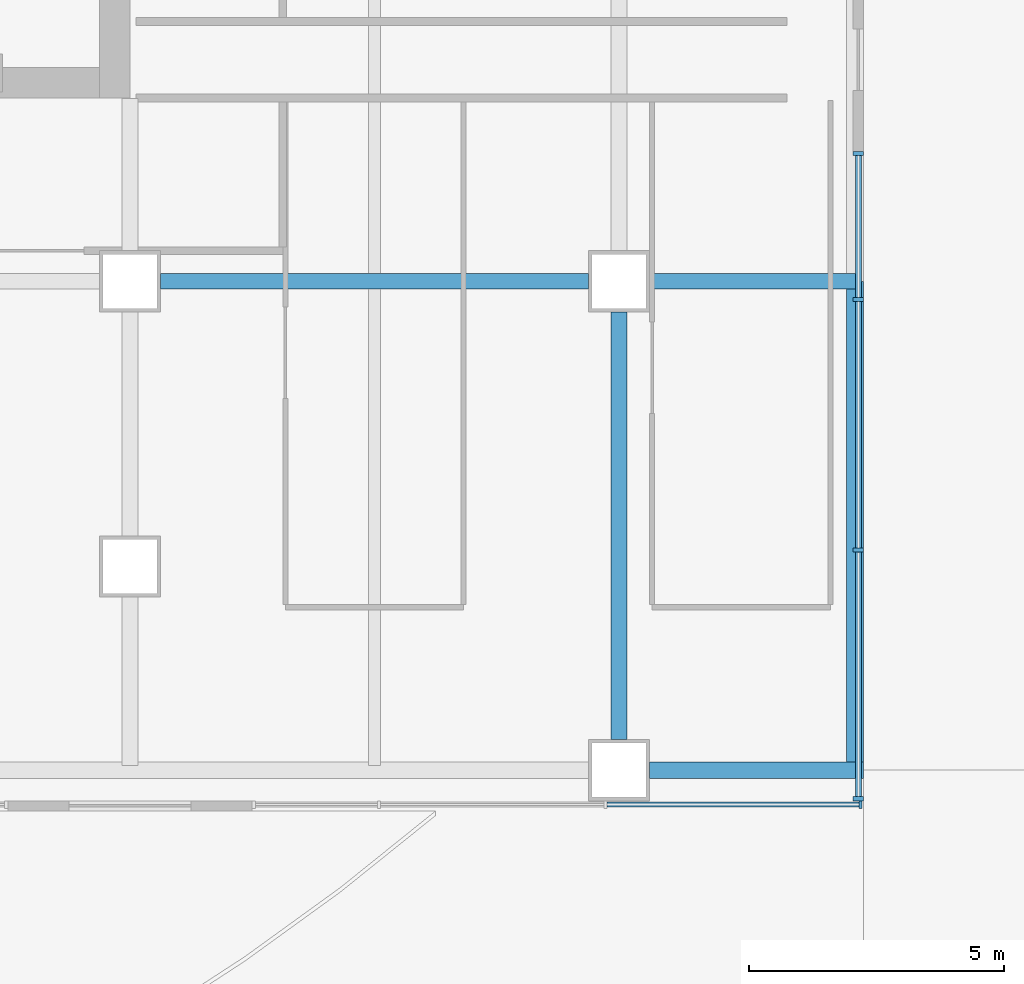
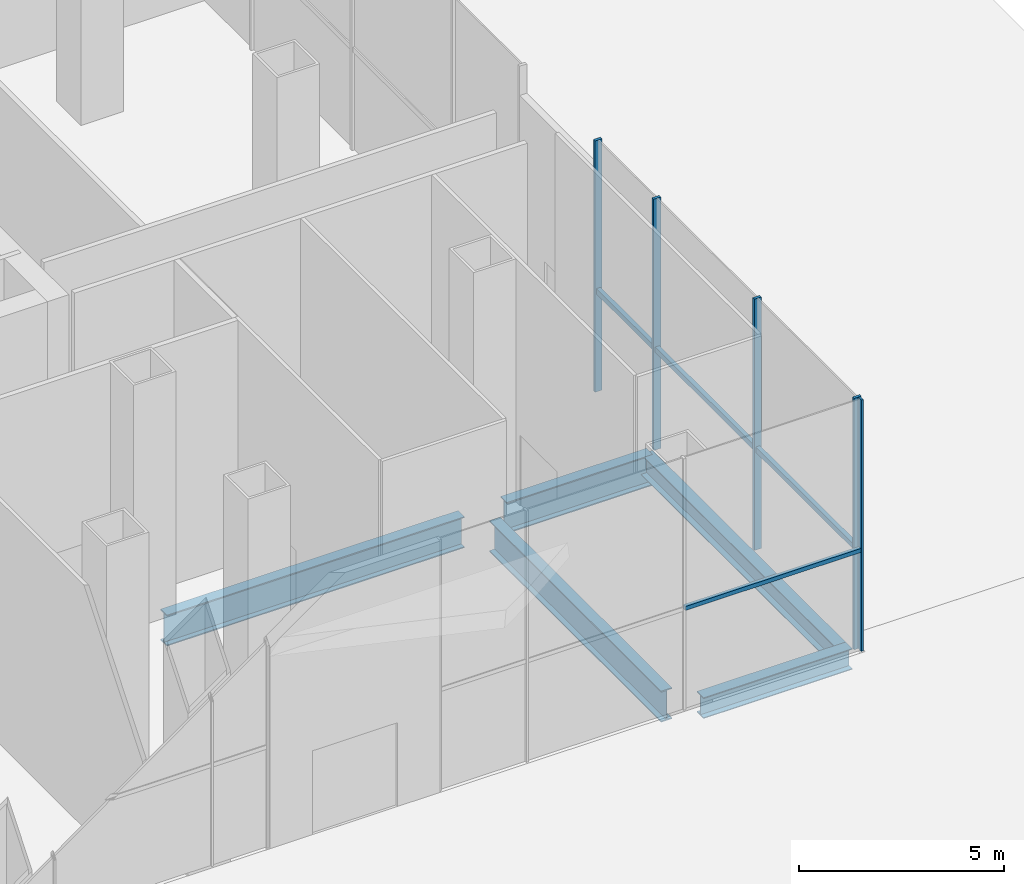
# One storey, part 12 of 36: 9 members, 5 beams, 2 elements without a shape of their own.
"""IFC4 building model written with IfcOpenShell, lengths in metres."""

from ifc_helpers import new_model, si_unit, direction, frame, origin, origin_2d, place, context, subcontext, project, spatial, rectangle, i_section, extrude, material, material_profile, profile_set, type_object, element, aggregate, save


model = new_model("IFC4")

# Units and contexts
model_context = context("Model", 3, precision=1e-05, world=origin(), true_north=direction((0.0, 1.0)))
body_context = subcontext(model_context, "Body", "Model", "MODEL_VIEW")
ifc_project = project(units=[si_unit("LENGTHUNIT", "METRE"), si_unit("AREAUNIT", "SQUARE_METRE"), si_unit("VOLUMEUNIT", "CUBIC_METRE"), si_unit("PLANEANGLEUNIT", "RADIAN"), si_unit("MASSUNIT", "GRAM", prefix="KILO")], contexts=[model_context])

# Site, building, storey
site_placement = place(None, origin())
site = spatial("IfcSite", under=ifc_project, at=site_placement, CompositionType="ELEMENT")
building_placement = place(site_placement, origin())
building = spatial("IfcBuilding", under=site, at=building_placement, Name="Cobrizo Arcos Hotel Tower", CompositionType="ELEMENT")
storey_placement = place(building_placement, origin())
storey = spatial("IfcBuildingStorey", under=building, at=storey_placement, Name="L00", CompositionType="ELEMENT", Elevation=0.0)

# Curtain wall, members
ifc_material_1 = material(Name="Aluminium 6063-T6 anodised bronze", Category="aluminium")
curtain_wall_type_1 = type_object("IfcCurtainWallType", Name="CW-A guest facade", PredefinedType="NOTDEFINED", material=ifc_material_1)
curtain_wall_1_placement = place(storey_placement, origin())
curtain_wall_1 = element("IfcCurtainWall", 1, at=curtain_wall_1_placement, inside=storey, type_object=curtain_wall_type_1, Name="CW-A L00 S face", PredefinedType="NOTDEFINED")
ifc_material_profile_1 = material_profile(ifc_material_1, rectangle(XDim=0.14990234375, YDim=0.06005859375, at=origin_2d()), Name="CW-A mullion 150x60")
ifc_profile_set_1 = profile_set([ifc_material_profile_1], Name="Aluminium 6063-T6 anodised bronze")
member_type_1 = type_object("IfcMemberType", Name="CW-A mullion 150x60", PredefinedType="MULLION", material=ifc_profile_set_1)
member_1_placement = place(storey_placement, frame((38.344970703125, -24.675048828125, 0.0), z_axis=(0.0, 0.0, 1.0), x_axis=(0.0, -1.0, 0.0)))
member_1 = element("IfcMember", 2, at=member_1_placement, type_object=member_type_1, Name="CW-A mullion 4", PredefinedType="MULLION", context=body_context, shape_type="SweptSolid", body=[
    extrude(rectangle(XDim=0.14990234375, YDim=0.06005859375, at=origin_2d()), origin(), (0.0, 0.0, 1.0), 7.5),
])
ifc_material_profile_2 = material_profile(ifc_material_1, rectangle(XDim=0.10009765625, YDim=0.1201171875, at=origin_2d()), Name="CW-A transom 120x100")
ifc_profile_set_2 = profile_set([ifc_material_profile_2], Name="Aluminium 6063-T6 anodised bronze")
member_type_2 = type_object("IfcMemberType", Name="CW-A transom 120x100", PredefinedType="USERDEFINED", material=ifc_profile_set_2)
member_2_placement = place(storey_placement, frame((33.36328125, -24.675048828125, 3.0), z_axis=(1.0, 0.0, 0.0), x_axis=(0.0, 1.0, 0.0)))
member_2 = element("IfcMember", 3, at=member_2_placement, type_object=member_type_2, Name="CW-A transom 52", ObjectType="TRANSOM", PredefinedType="USERDEFINED", context=body_context, shape_type="SweptSolid", body=[
    extrude(rectangle(XDim=0.10009765625, YDim=0.1201171875, at=origin_2d()), origin(), (0.0, 0.0, 1.0), 4.95166015625),
])
aggregate(curtain_wall_1, [member_1, member_2])

curtain_wall_type_2 = type_object("IfcCurtainWallType", Name="CW-B podium glazing", PredefinedType="NOTDEFINED", material=ifc_material_1)
curtain_wall_2_placement = place(storey_placement, origin())
curtain_wall_2 = element("IfcCurtainWall", 4, at=curtain_wall_2_placement, inside=storey, type_object=curtain_wall_type_2, Name="CW-B L00 E face", PredefinedType="NOTDEFINED")
ifc_material_profile_3 = material_profile(ifc_material_1, rectangle(XDim=0.199951171875, YDim=0.080078125, at=origin_2d()), Name="CW-B mullion 200x80")
ifc_profile_set_3 = profile_set([ifc_material_profile_3], Name="Aluminium 6063-T6 anodised bronze")
member_type_3 = type_object("IfcMemberType", Name="CW-B mullion 200x80", PredefinedType="MULLION", material=ifc_profile_set_3)
member_3_placement = place(storey_placement, frame((38.300048828125, -24.56005859375, 0.0), z_axis=(0.0, 0.0, 1.0), x_axis=(1.0, 0.0, 0.0)))
member_3 = element("IfcMember", 5, at=member_3_placement, type_object=member_type_3, Name="CW-B mullion 1", PredefinedType="MULLION", context=body_context, shape_type="SweptSolid", body=[
    extrude(rectangle(XDim=0.199951171875, YDim=0.080078125, at=origin_2d()), origin(), (0.0, 0.0, 1.0), 7.5),
])
member_4_placement = place(storey_placement, frame((38.300048828125, -19.679931640625, 0.0), z_axis=(0.0, 0.0, 1.0), x_axis=(1.0, 0.0, 0.0)))
member_4 = element("IfcMember", 6, at=member_4_placement, type_object=member_type_3, Name="CW-B mullion 2", PredefinedType="MULLION", context=body_context, shape_type="SweptSolid", body=[
    extrude(rectangle(XDim=0.199951171875, YDim=0.080078125, at=origin_2d()), origin(), (0.0, 0.0, 1.0), 7.5),
])
member_5_placement = place(storey_placement, frame((38.300048828125, -14.760009765625, 0.0), z_axis=(0.0, 0.0, 1.0), x_axis=(1.0, 0.0, 0.0)))
member_5 = element("IfcMember", 7, at=member_5_placement, type_object=member_type_3, Name="CW-B mullion 3", PredefinedType="MULLION", context=body_context, shape_type="SweptSolid", body=[
    extrude(rectangle(XDim=0.199951171875, YDim=0.080078125, at=origin_2d()), origin(), (0.0, 0.0, 1.0), 7.5),
])
member_6_placement = place(storey_placement, frame((38.300048828125, -11.889892578125, 0.0), z_axis=(0.0, 0.0, 1.0), x_axis=(1.0, 0.0, 0.0)))
member_6 = element("IfcMember", 8, at=member_6_placement, type_object=member_type_3, Name="CW-B mullion 4", PredefinedType="MULLION", context=body_context, shape_type="SweptSolid", body=[
    extrude(rectangle(XDim=0.199951171875, YDim=0.080078125, at=origin_2d()), origin(), (0.0, 0.0, 1.0), 7.5),
])
ifc_material_profile_4 = material_profile(ifc_material_1, rectangle(XDim=0.1201171875, YDim=0.159912109375, at=origin_2d()), Name="CW-B transom 160x120")
ifc_profile_set_4 = profile_set([ifc_material_profile_4], Name="Aluminium 6063-T6 anodised bronze")
member_type_4 = type_object("IfcMemberType", Name="CW-B transom 160x120", PredefinedType="USERDEFINED", material=ifc_profile_set_4)
member_7_placement = place(storey_placement, frame((38.300048828125, -24.52001953125, 3.0), z_axis=(0.0, 1.0, 0.0), x_axis=(-1.0, 0.0, 0.0)))
member_7 = element("IfcMember", 9, at=member_7_placement, type_object=member_type_4, Name="CW-B transom 1", ObjectType="TRANSOM", PredefinedType="USERDEFINED", context=body_context, shape_type="SweptSolid", body=[
    extrude(rectangle(XDim=0.1201171875, YDim=0.159912109375, at=origin_2d()), origin(), (0.0, 0.0, 1.0), 4.800048828125),
])
member_8_placement = place(storey_placement, frame((38.300048828125, -19.639892578125, 3.0), z_axis=(0.0, 1.0, 0.0), x_axis=(-1.0, 0.0, 0.0)))
member_8 = element("IfcMember", 10, at=member_8_placement, type_object=member_type_4, Name="CW-B transom 2", ObjectType="TRANSOM", PredefinedType="USERDEFINED", context=body_context, shape_type="SweptSolid", body=[
    extrude(rectangle(XDim=0.1201171875, YDim=0.159912109375, at=origin_2d()), origin(), (0.0, 0.0, 1.0), 4.83984375),
])
member_9_placement = place(storey_placement, frame((38.300048828125, -14.719970703125, 3.0), z_axis=(0.0, 1.0, 0.0), x_axis=(-1.0, 0.0, 0.0)))
member_9 = element("IfcMember", 11, at=member_9_placement, type_object=member_type_4, Name="CW-B transom 3", ObjectType="TRANSOM", PredefinedType="USERDEFINED", context=body_context, shape_type="SweptSolid", body=[
    extrude(rectangle(XDim=0.1201171875, YDim=0.159912109375, at=origin_2d()), origin(), (0.0, 0.0, 1.0), 2.7900390625),
])
aggregate(curtain_wall_2, [member_3, member_4, member_5, member_6, member_7, member_8, member_9])

# Beams
ifc_material_2 = material(Name="Steel ASTM A992 Grade 50", Category="steel")
ifc_material_profile_5 = material_profile(ifc_material_2, i_section(OverallWidth=0.32763671875, OverallDepth=0.622314453125, WebThickness=0.015380859375, FlangeThickness=0.0244140625, at=origin_2d()), Name="W24X131")
ifc_profile_set_5 = profile_set([ifc_material_profile_5], Name="Steel ASTM A992 Grade 50")
beam_type_1 = type_object("IfcBeamType", Name="W24X131 edge beam", PredefinedType="BEAM", material=ifc_profile_set_5)
beam_1_placement = place(storey_placement, frame((38.236083984375, -24.0, -0.611083984375), z_axis=(0.0, 1.0, 0.0), x_axis=(-1.0, 0.0, 0.0)))
element("IfcBeam", 12, at=beam_1_placement, inside=storey, type_object=beam_type_1, Name="Edge beam EB1, L00, no. 001", PredefinedType="BEAM", context=body_context, shape_type="SweptSolid", body=[
    extrude(i_section(OverallWidth=0.32763671875, OverallDepth=0.622314453125, WebThickness=0.015380859375, FlangeThickness=0.0244140625, at=origin_2d()), origin(), (0.0, 0.0, 1.0), 9.60009765625),
])
beam_2_placement = place(storey_placement, frame((34.199951171875, -24.0, -0.611083984375), z_axis=(1.0, 0.0, 0.0), x_axis=(0.0, 1.0, 0.0)))
element("IfcBeam", 13, at=beam_2_placement, inside=storey, type_object=beam_type_1, Name="Edge beam EB1, L00, no. 014", PredefinedType="BEAM", context=body_context, shape_type="SweptSolid", body=[
    extrude(i_section(OverallWidth=0.32763671875, OverallDepth=0.622314453125, WebThickness=0.015380859375, FlangeThickness=0.0244140625, at=origin_2d()), origin(), (0.0, 0.0, 1.0), 4.199951171875),
])
ifc_material_profile_6 = material_profile(ifc_material_2, i_section(OverallWidth=0.307373046875, OverallDepth=0.927001953125, WebThickness=0.01953125, FlangeThickness=0.031982421875, at=origin_2d()), Name="W36X194")
ifc_profile_set_6 = profile_set([ifc_material_profile_6], Name="Steel ASTM A992 Grade 50")
beam_type_2 = type_object("IfcBeamType", Name="W36X194 podium girder", PredefinedType="BEAM", material=ifc_profile_set_6)
beam_3_placement = place(storey_placement, frame((24.60009765625, -14.39990234375, -0.763427734375), z_axis=(1.0, 0.0, 0.0), x_axis=(0.0, 1.0, 0.0)))
element("IfcBeam", 14, at=beam_3_placement, inside=storey, type_object=beam_type_2, Name="Podium girder PG1, L00, no. 008", PredefinedType="BEAM", context=body_context, shape_type="SweptSolid", body=[
    extrude(i_section(OverallWidth=0.307373046875, OverallDepth=0.927001953125, WebThickness=0.01953125, FlangeThickness=0.031982421875, at=origin_2d()), origin(), (0.0, 0.0, 1.0), 8.39990234375),
])
beam_4_placement = place(storey_placement, frame((34.199951171875, -14.39990234375, -0.763427734375), z_axis=(1.0, 0.0, 0.0), x_axis=(0.0, 1.0, 0.0)))
element("IfcBeam", 15, at=beam_4_placement, inside=storey, type_object=beam_type_2, Name="Podium girder PG1, L00, no. 009", PredefinedType="BEAM", context=body_context, shape_type="SweptSolid", body=[
    extrude(i_section(OverallWidth=0.307373046875, OverallDepth=0.927001953125, WebThickness=0.01953125, FlangeThickness=0.031982421875, at=origin_2d()), origin(), (0.0, 0.0, 1.0), 4.110107421875),
])
beam_5_placement = place(storey_placement, frame((33.60009765625, -23.39990234375, -0.763427734375), z_axis=(0.0, 1.0, 0.0), x_axis=(-1.0, 0.0, 0.0)))
element("IfcBeam", 16, at=beam_5_placement, inside=storey, type_object=beam_type_2, Name="Podium girder PG1, L00, no. 072", PredefinedType="BEAM", context=body_context, shape_type="SweptSolid", body=[
    extrude(i_section(OverallWidth=0.307373046875, OverallDepth=0.927001953125, WebThickness=0.01953125, FlangeThickness=0.031982421875, at=origin_2d()), origin(), (0.0, 0.0, 1.0), 8.39990234375),
])

save(model, "model.ifc")
